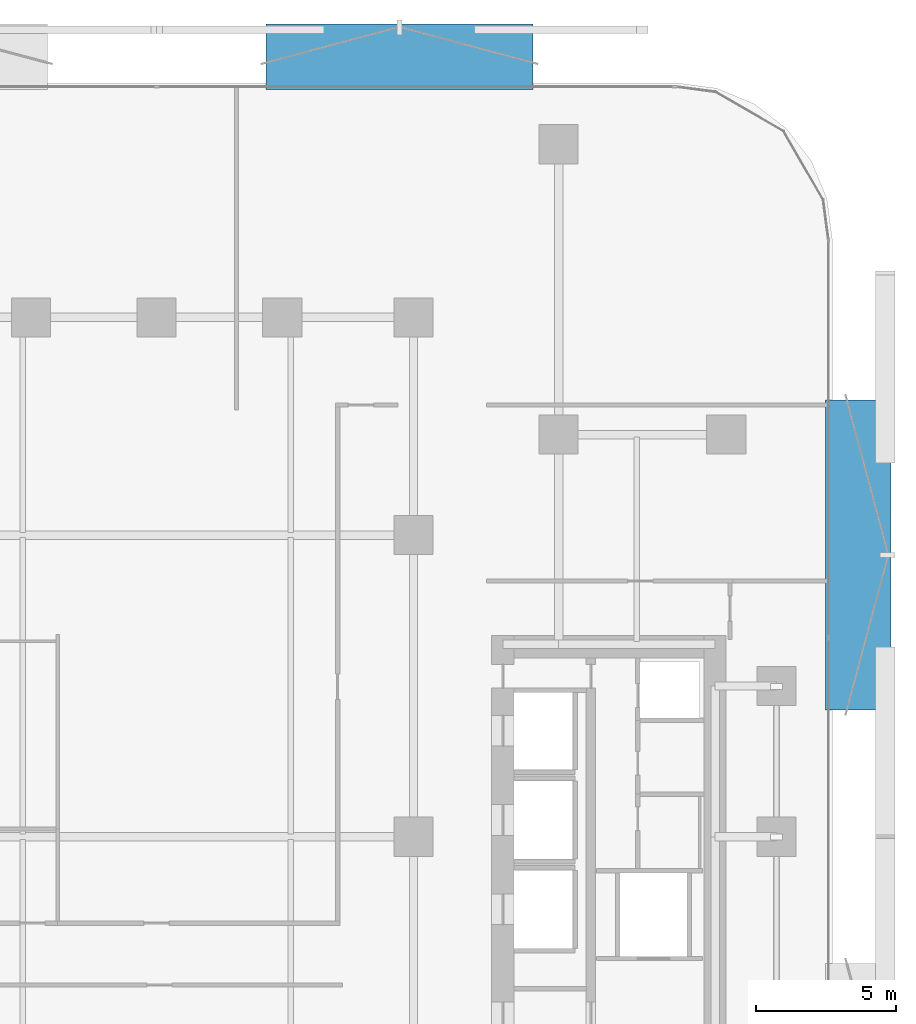
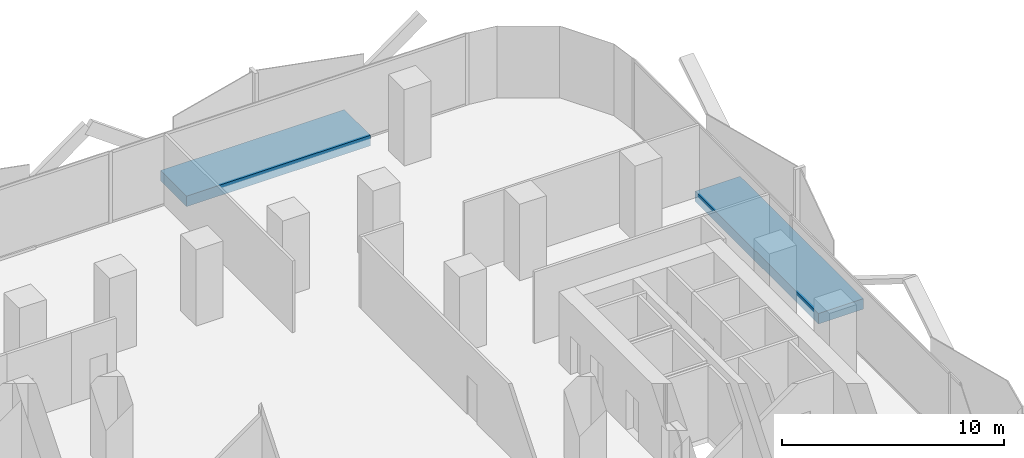
# One storey, part 6 of 15: 2 discrete accessories.
"""IFC4 building model written with IfcOpenShell, lengths in metres."""

from ifc_helpers import new_model, si_unit, direction, frame, origin, origin_2d, place, context, subcontext, project, spatial, rectangle, extrude, material, type_object, element, save


model = new_model("IFC4")

# Units and contexts
model_context = context("Model", 3, precision=1e-05, world=origin(), true_north=direction((0.0, 1.0)))
body_context = subcontext(model_context, "Body", "Model", "MODEL_VIEW")
ifc_project = project(units=[si_unit("LENGTHUNIT", "METRE"), si_unit("AREAUNIT", "SQUARE_METRE"), si_unit("VOLUMEUNIT", "CUBIC_METRE"), si_unit("PLANEANGLEUNIT", "RADIAN"), si_unit("MASSUNIT", "GRAM", prefix="KILO")], contexts=[model_context])

# Site, building, storey
site_placement = place(None, origin())
site = spatial("IfcSite", under=ifc_project, at=site_placement, CompositionType="ELEMENT")
building_placement = place(site_placement, origin())
building = spatial("IfcBuilding", under=site, at=building_placement, Name="Khairoan Windgate Tower", CompositionType="ELEMENT")
storey_placement = place(building_placement, frame((0.0, 0.0, 34.39990234375)))
storey = spatial("IfcBuildingStorey", under=building, at=storey_placement, Name="L08", CompositionType="ELEMENT", Elevation=34.39990234375)

# Discrete accessories
ifc_material = material(Name="Steel S355", Category="steel")
discrete_accessory_type = type_object("IfcDiscreteAccessoryType", Name="Solar Screen Outrigger Slab Bracket SSB-1", PredefinedType="BRACKET", material=ifc_material)
discrete_accessory_1_placement = place(storey_placement, frame((8.6953125, 27.929931640625, -0.419921875), z_axis=(0.0, 0.0, 1.0), x_axis=(1.0, 0.0, 0.0)))
element("IfcDiscreteAccessory", 1, at=discrete_accessory_1_placement, inside=storey, type_object=discrete_accessory_type, Name="L08 Solar Screen Outrigger Bracket 22", PredefinedType="BRACKET", context=body_context, shape_type="SweptSolid", body=[
    extrude(rectangle(XDim=9.56494140625, YDim=2.340087890625, at=origin_2d()), origin(), (0.0, 0.0, 1.0), 0.580078125),
])
discrete_accessory_2_placement = place(storey_placement, frame((25.1298828125, 10.095458984375, -0.419921875), z_axis=(0.0, 0.0, 1.0), x_axis=(0.0, -1.0, 0.0)))
element("IfcDiscreteAccessory", 2, at=discrete_accessory_2_placement, inside=storey, type_object=discrete_accessory_type, Name="L08 Solar Screen Outrigger Bracket 23", PredefinedType="BRACKET", context=body_context, shape_type="SweptSolid", body=[
    extrude(rectangle(XDim=11.10498046875, YDim=2.340087890625, at=origin_2d()), origin(), (0.0, 0.0, 1.0), 0.580078125),
])

save(model, "model.ifc")
